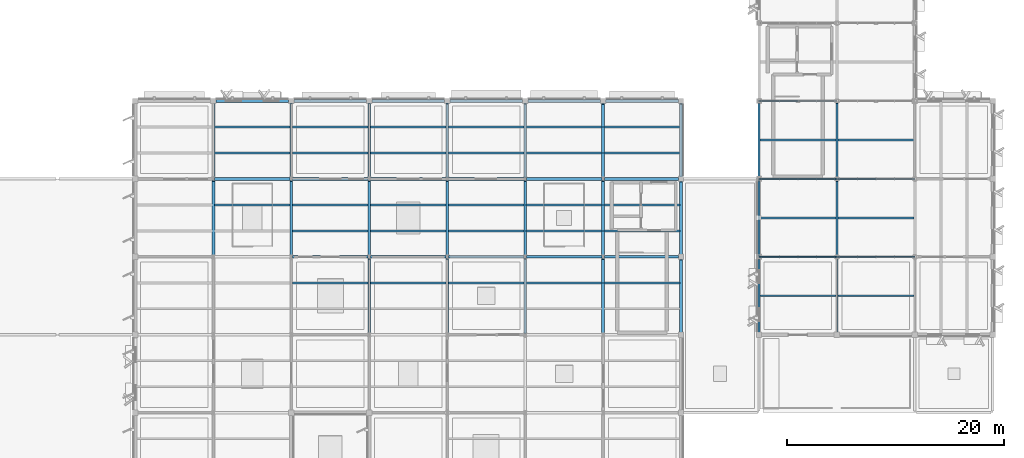
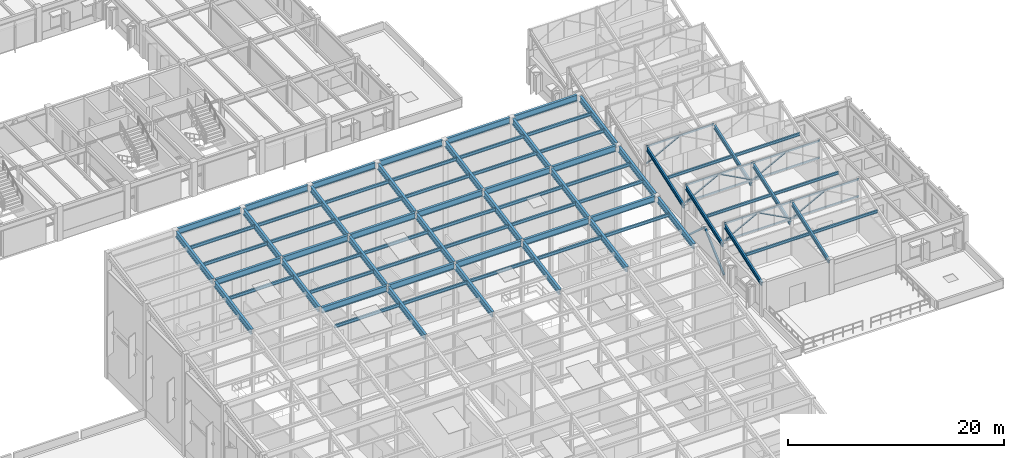
# One storey, part 17 of 82: 76 beams, 18 members.
"""IFC4 building model written with IfcOpenShell, lengths in metres."""

from ifc_helpers import new_model, si_unit, direction, frame, origin, origin_2d, place, context, subcontext, project, spatial, hollow_rectangle, hollow_circle, i_section, extrude, material, material_profile, profile_set, type_object, element, save


model = new_model("IFC4")

# Units and contexts
model_context = context("Model", 3, precision=1e-05, world=origin(), true_north=direction((0.0, 1.0)))
body_context = subcontext(model_context, "Body", "Model", "MODEL_VIEW")
ifc_project = project(units=[si_unit("LENGTHUNIT", "METRE"), si_unit("AREAUNIT", "SQUARE_METRE"), si_unit("VOLUMEUNIT", "CUBIC_METRE"), si_unit("PLANEANGLEUNIT", "RADIAN"), si_unit("MASSUNIT", "GRAM", prefix="KILO")], contexts=[model_context])

# Site, building, storey
site_placement = place(None, origin())
site = spatial("IfcSite", under=ifc_project, at=site_placement, CompositionType="ELEMENT")
building_placement = place(site_placement, origin())
building = spatial("IfcBuilding", under=site, at=building_placement, Name="Sillqori Civic Hall", CompositionType="ELEMENT")
storey_placement = place(building_placement, frame((0.0, 0.0, 14.10009765625)))
storey = spatial("IfcBuildingStorey", under=building, at=storey_placement, Name="L04", CompositionType="ELEMENT", Elevation=14.10009765625)

# Beams
ifc_material_1 = material(Name="Steel ASTM A992", Category="steel")
ifc_material_profile_1 = material_profile(ifc_material_1, i_section(OverallWidth=0.19091796875, OverallDepth=0.4599609375, WebThickness=0.010009765625, FlangeThickness=0.01611328125, FilletRadius=0.012939453125, at=origin_2d()), Name="W18X55")
ifc_profile_set_1 = profile_set([ifc_material_profile_1], Name="Steel ASTM A992")
beam_type_1 = type_object("IfcBeamType", Name="BM-W18X55", PredefinedType="BEAM", material=ifc_profile_set_1)
for number, where, z_axis, x_axis, name in (
    (1, (122.39990234375, 36.14990234375, 3.409912109375), (0.0, 0.944503108263, 0.328502478655), (-1.0, 0.0, 0.0), "Clerestory inclined rafter 17-5"),
    (2, (129.60009765625, 36.14990234375, 3.409912109375), (0.0, 0.944503108263, 0.328502478655), (-1.0, 0.0, 0.0), "Clerestory inclined rafter 18-5"),
):
    element("IfcBeam", number, at=place(storey_placement, frame(where, z_axis=z_axis, x_axis=x_axis)), inside=storey, type_object=beam_type_1, Name=name, PredefinedType="BEAM", context=body_context, shape_type="SweptSolid", body=[
        extrude(i_section(OverallWidth=0.19091796875, OverallDepth=0.4599609375, WebThickness=0.010009765625, FlangeThickness=0.01611328125, FilletRadius=0.012939453125, at=origin_2d()), origin(), (0.0, 0.0, 1.0), 7.3056640625),
    ])
for number, where, z_axis, x_axis, name in (
    (3, (122.39990234375, 43.35009765625, 3.409912109375), (0.0, 0.944499501787, 0.328512847731), (-1.0, 0.0, 0.0), "Clerestory inclined rafter 17-6"),
    (4, (129.60009765625, 43.35009765625, 3.409912109375), (0.0, 0.944499501787, 0.328512847731), (-1.0, 0.0, 0.0), "Clerestory inclined rafter 18-6"),
    (5, (122.39990234375, 50.550048828125, 3.409912109375), (0.0, 0.944499501787, 0.328512847731), (-1.0, 0.0, 0.0), "Clerestory inclined rafter 17-7"),
    (6, (129.60009765625, 50.550048828125, 3.409912109375), (0.0, 0.944499501787, 0.328512847731), (-1.0, 0.0, 0.0), "Clerestory inclined rafter 18-7"),
):
    element("IfcBeam", number, at=place(storey_placement, frame(where, z_axis=z_axis, x_axis=x_axis)), inside=storey, type_object=beam_type_1, Name=name, PredefinedType="BEAM", context=body_context, shape_type="SweptSolid", body=[
        extrude(i_section(OverallWidth=0.19091796875, OverallDepth=0.4599609375, WebThickness=0.010009765625, FlangeThickness=0.01611328125, FilletRadius=0.012939453125, at=origin_2d()), origin(), (0.0, 0.0, 1.0), 7.305419921875),
    ])
ifc_material_profile_2 = material_profile(ifc_material_1, i_section(OverallWidth=0.25390625, OverallDepth=0.68310546875, WebThickness=0.012451171875, FlangeThickness=0.01904296875, FilletRadius=0.01611328125, at=origin_2d()), Name="W27X94")
ifc_profile_set_2 = profile_set([ifc_material_profile_2], Name="Steel ASTM A992")
beam_type_2 = type_object("IfcBeamType", Name="BM-W27X94", PredefinedType="BEAM", material=ifc_profile_set_2)
for number, where, z_axis, x_axis, name in (
    (7, (79.320556640625, 43.199951171875, 11.301513671875), (0.999992142034, 0.0, 0.003964324728), (0.0, 1.0, 0.0), "Wedge roof girder X 11-12@6"),
    (8, (86.5205078125, 43.199951171875, 11.330078125), (0.999992142034, 0.0, 0.003964324728), (0.0, 1.0, 0.0), "Wedge roof girder X 12-13@6"),
    (9, (93.720458984375, 43.199951171875, 11.358642578125), (0.999992142034, 0.0, 0.003964324728), (0.0, 1.0, 0.0), "Wedge roof girder X 13-14@6"),
    (10, (100.92041015625, 43.199951171875, 11.38720703125), (0.999992142034, 0.0, 0.003964324728), (0.0, 1.0, 0.0), "Wedge roof girder X 14-15@6"),
):
    element("IfcBeam", number, at=place(storey_placement, frame(where, z_axis=z_axis, x_axis=x_axis)), inside=storey, type_object=beam_type_2, Name=name, PredefinedType="BEAM", context=body_context, shape_type="SweptSolid", body=[
        extrude(i_section(OverallWidth=0.25390625, OverallDepth=0.68310546875, WebThickness=0.012451171875, FlangeThickness=0.01904296875, FilletRadius=0.01611328125, at=origin_2d()), origin(), (0.0, 0.0, 1.0), 6.958984375),
    ])
beam_1_placement = place(storey_placement, frame((108.12060546875, 43.199951171875, 11.415771484375), z_axis=(0.999992145678, 0.0, 0.003963405276), x_axis=(0.0, 1.0, 0.0)))
element("IfcBeam", 11, at=beam_1_placement, inside=storey, type_object=beam_type_2, Name="Wedge roof girder X 15-16@6", PredefinedType="BEAM", context=body_context, shape_type="SweptSolid", body=[
    extrude(i_section(OverallWidth=0.25390625, OverallDepth=0.68310546875, WebThickness=0.012451171875, FlangeThickness=0.01904296875, FilletRadius=0.01611328125, at=origin_2d()), origin(), (0.0, 0.0, 1.0), 6.83740234375),
])
for number, where, z_axis, x_axis, name in (
    (12, (72.12060546875, 50.39990234375, 12.61572265625), (0.999992142034, 0.0, 0.003964324728), (0.0, 1.0, 0.0), "Wedge roof girder X 10-11@7"),
    (13, (79.320556640625, 50.39990234375, 12.644287109375), (0.999992002341, 0.0, 0.003999406689), (0.0, 1.0, 0.0), "Wedge roof girder X 11-12@7"),
    (14, (86.5205078125, 50.39990234375, 12.6728515625), (0.999992002341, 0.0, 0.003999406689), (0.0, 1.0, 0.0), "Wedge roof girder X 12-13@7"),
    (15, (93.720458984375, 50.39990234375, 12.701416015625), (0.999992142034, 0.0, 0.003964324728), (0.0, 1.0, 0.0), "Wedge roof girder X 13-14@7"),
    (16, (100.92041015625, 50.39990234375, 12.72998046875), (0.999992002341, 0.0, 0.003999406689), (0.0, 1.0, 0.0), "Wedge roof girder X 14-15@7"),
):
    element("IfcBeam", number, at=place(storey_placement, frame(where, z_axis=z_axis, x_axis=x_axis)), inside=storey, type_object=beam_type_2, Name=name, PredefinedType="BEAM", context=body_context, shape_type="SweptSolid", body=[
        extrude(i_section(OverallWidth=0.25390625, OverallDepth=0.68310546875, WebThickness=0.012451171875, FlangeThickness=0.01904296875, FilletRadius=0.01611328125, at=origin_2d()), origin(), (0.0, 0.0, 1.0), 6.958984375),
    ])
beam_2_placement = place(storey_placement, frame((108.12060546875, 50.39990234375, 12.7587890625), z_axis=(0.999992145678, 0.0, 0.003963405276), x_axis=(0.0, 1.0, 0.0)))
element("IfcBeam", 17, at=beam_2_placement, inside=storey, type_object=beam_type_2, Name="Wedge roof girder X 15-16@7", PredefinedType="BEAM", context=body_context, shape_type="SweptSolid", body=[
    extrude(i_section(OverallWidth=0.25390625, OverallDepth=0.68310546875, WebThickness=0.012451171875, FlangeThickness=0.01904296875, FilletRadius=0.01611328125, at=origin_2d()), origin(), (0.0, 0.0, 1.0), 6.83740234375),
])
for number, where, z_axis, x_axis, name in (
    (18, (72.241943359375, 57.60009765625, 13.958984375), (0.99999200533, 0.0, 0.003998659369), (0.0, 1.0, 0.0), "Wedge roof girder X 10-11@8"),
    (19, (79.44189453125, 57.60009765625, 13.98779296875), (0.999992150025, 0.0, 0.003962308494), (0.0, 1.0, 0.0), "Wedge roof girder X 11-12@8"),
):
    element("IfcBeam", number, at=place(storey_placement, frame(where, z_axis=z_axis, x_axis=x_axis)), inside=storey, type_object=beam_type_2, Name=name, PredefinedType="BEAM", context=body_context, shape_type="SweptSolid", body=[
        extrude(i_section(OverallWidth=0.25390625, OverallDepth=0.68310546875, WebThickness=0.012451171875, FlangeThickness=0.01904296875, FilletRadius=0.01611328125, at=origin_2d()), origin(), (0.0, 0.0, 1.0), 6.716064453125),
    ])
beam_3_placement = place(storey_placement, frame((86.64208984375, 57.60009765625, 14.016357421875), z_axis=(0.999992149454, 0.0, 0.003962452533), x_axis=(0.0, 1.0, 0.0)))
element("IfcBeam", 20, at=beam_3_placement, inside=storey, type_object=beam_type_2, Name="Wedge roof girder X 12-13@8", PredefinedType="BEAM", context=body_context, shape_type="SweptSolid", body=[
    extrude(i_section(OverallWidth=0.25390625, OverallDepth=0.68310546875, WebThickness=0.012451171875, FlangeThickness=0.01904296875, FilletRadius=0.01611328125, at=origin_2d()), origin(), (0.0, 0.0, 1.0), 6.7158203125),
])
for number, where, z_axis, x_axis, name in (
    (21, (93.842041015625, 57.60009765625, 14.044921875), (0.999992150025, 0.0, 0.003962308494), (0.0, 1.0, 0.0), "Wedge roof girder X 13-14@8"),
    (22, (101.0419921875, 57.60009765625, 14.073486328125), (0.999992150025, 0.0, 0.003962308494), (0.0, 1.0, 0.0), "Wedge roof girder X 14-15@8"),
    (23, (108.241943359375, 57.60009765625, 14.10205078125), (0.999992150025, 0.0, 0.003962308494), (0.0, 1.0, 0.0), "Wedge roof girder X 15-16@8"),
):
    element("IfcBeam", number, at=place(storey_placement, frame(where, z_axis=z_axis, x_axis=x_axis)), inside=storey, type_object=beam_type_2, Name=name, PredefinedType="BEAM", context=body_context, shape_type="SweptSolid", body=[
        extrude(i_section(OverallWidth=0.25390625, OverallDepth=0.68310546875, WebThickness=0.012451171875, FlangeThickness=0.01904296875, FilletRadius=0.01611328125, at=origin_2d()), origin(), (0.0, 0.0, 1.0), 6.716064453125),
    ])
beam_4_placement = place(storey_placement, frame((72.0, 43.37353515625, 11.3046875), z_axis=(0.0, 0.983043824726, 0.183370768303), x_axis=(-1.0, 0.0, 0.0)))
element("IfcBeam", 24, at=beam_4_placement, inside=storey, type_object=beam_type_2, Name="Wedge roof inclined rafter Y 10@6-7", PredefinedType="BEAM", context=body_context, shape_type="SweptSolid", body=[
    extrude(i_section(OverallWidth=0.25390625, OverallDepth=0.68310546875, WebThickness=0.012451171875, FlangeThickness=0.01904296875, FilletRadius=0.01611328125, at=origin_2d()), origin(), (0.0, 0.0, 1.0), 6.97119140625),
])
beam_5_placement = place(storey_placement, frame((72.0, 50.573486328125, 12.647705078125), z_axis=(0.0, 0.983047548844, 0.18335080232), x_axis=(-1.0, 0.0, 0.0)))
element("IfcBeam", 25, at=beam_5_placement, inside=storey, type_object=beam_type_2, Name="Wedge roof inclined rafter Y 10@7-8", PredefinedType="BEAM", context=body_context, shape_type="SweptSolid", body=[
    extrude(i_section(OverallWidth=0.25390625, OverallDepth=0.68310546875, WebThickness=0.012451171875, FlangeThickness=0.01904296875, FilletRadius=0.01611328125, at=origin_2d()), origin(), (0.0, 0.0, 1.0), 6.9013671875),
])
beam_6_placement = place(storey_placement, frame((79.199951171875, 43.37353515625, 11.33349609375), z_axis=(0.0, 0.98305013715, 0.183336924403), x_axis=(-1.0, 0.0, 0.0)))
element("IfcBeam", 26, at=beam_6_placement, inside=storey, type_object=beam_type_2, Name="Wedge roof inclined rafter Y 11@6-7", PredefinedType="BEAM", context=body_context, shape_type="SweptSolid", body=[
    extrude(i_section(OverallWidth=0.25390625, OverallDepth=0.68310546875, WebThickness=0.012451171875, FlangeThickness=0.01904296875, FilletRadius=0.01611328125, at=origin_2d()), origin(), (0.0, 0.0, 1.0), 6.97119140625),
])
beam_7_placement = place(storey_placement, frame((79.199951171875, 50.573486328125, 12.67626953125), z_axis=(0.0, 0.983047548844, 0.18335080232), x_axis=(-1.0, 0.0, 0.0)))
element("IfcBeam", 27, at=beam_7_placement, inside=storey, type_object=beam_type_2, Name="Wedge roof inclined rafter Y 11@7-8", PredefinedType="BEAM", context=body_context, shape_type="SweptSolid", body=[
    extrude(i_section(OverallWidth=0.25390625, OverallDepth=0.68310546875, WebThickness=0.012451171875, FlangeThickness=0.01904296875, FilletRadius=0.01611328125, at=origin_2d()), origin(), (0.0, 0.0, 1.0), 6.9013671875),
])
for number, where, z_axis, x_axis, name in (
    (28, (86.39990234375, 36.173583984375, 10.01904296875), (0.0, 0.98305013715, 0.183336924403), (-1.0, 0.0, 0.0), "Wedge roof inclined rafter Y 12@5-6"),
    (29, (86.39990234375, 43.37353515625, 11.362060546875), (0.0, 0.98305013715, 0.183336924403), (-1.0, 0.0, 0.0), "Wedge roof inclined rafter Y 12@6-7"),
):
    element("IfcBeam", number, at=place(storey_placement, frame(where, z_axis=z_axis, x_axis=x_axis)), inside=storey, type_object=beam_type_2, Name=name, PredefinedType="BEAM", context=body_context, shape_type="SweptSolid", body=[
        extrude(i_section(OverallWidth=0.25390625, OverallDepth=0.68310546875, WebThickness=0.012451171875, FlangeThickness=0.01904296875, FilletRadius=0.01611328125, at=origin_2d()), origin(), (0.0, 0.0, 1.0), 6.97119140625),
    ])
beam_8_placement = place(storey_placement, frame((86.39990234375, 50.573486328125, 12.704833984375), z_axis=(0.0, 0.983047548844, 0.18335080232), x_axis=(-1.0, 0.0, 0.0)))
element("IfcBeam", 30, at=beam_8_placement, inside=storey, type_object=beam_type_2, Name="Wedge roof inclined rafter Y 12@7-8", PredefinedType="BEAM", context=body_context, shape_type="SweptSolid", body=[
    extrude(i_section(OverallWidth=0.25390625, OverallDepth=0.68310546875, WebThickness=0.012451171875, FlangeThickness=0.01904296875, FilletRadius=0.01611328125, at=origin_2d()), origin(), (0.0, 0.0, 1.0), 6.9013671875),
])
for number, where, z_axis, x_axis, name in (
    (31, (93.60009765625, 36.173583984375, 10.047607421875), (0.0, 0.98305013715, 0.183336924403), (-1.0, 0.0, 0.0), "Wedge roof inclined rafter Y 13@5-6"),
    (32, (93.60009765625, 43.37353515625, 11.390380859375), (0.0, 0.983043824726, 0.183370768303), (-1.0, 0.0, 0.0), "Wedge roof inclined rafter Y 13@6-7"),
):
    element("IfcBeam", number, at=place(storey_placement, frame(where, z_axis=z_axis, x_axis=x_axis)), inside=storey, type_object=beam_type_2, Name=name, PredefinedType="BEAM", context=body_context, shape_type="SweptSolid", body=[
        extrude(i_section(OverallWidth=0.25390625, OverallDepth=0.68310546875, WebThickness=0.012451171875, FlangeThickness=0.01904296875, FilletRadius=0.01611328125, at=origin_2d()), origin(), (0.0, 0.0, 1.0), 6.97119140625),
    ])
beam_9_placement = place(storey_placement, frame((93.60009765625, 50.573486328125, 12.7333984375), z_axis=(0.0, 0.983047548844, 0.18335080232), x_axis=(-1.0, 0.0, 0.0)))
element("IfcBeam", 33, at=beam_9_placement, inside=storey, type_object=beam_type_2, Name="Wedge roof inclined rafter Y 13@7-8", PredefinedType="BEAM", context=body_context, shape_type="SweptSolid", body=[
    extrude(i_section(OverallWidth=0.25390625, OverallDepth=0.68310546875, WebThickness=0.012451171875, FlangeThickness=0.01904296875, FilletRadius=0.01611328125, at=origin_2d()), origin(), (0.0, 0.0, 1.0), 6.9013671875),
])
for number, where, z_axis, x_axis, name in (
    (34, (100.800048828125, 36.173583984375, 10.076171875), (0.0, 0.983043824726, 0.183370768303), (-1.0, 0.0, 0.0), "Wedge roof inclined rafter Y 14@5-6"),
    (35, (100.800048828125, 43.37353515625, 11.419189453125), (0.0, 0.98305013715, 0.183336924403), (-1.0, 0.0, 0.0), "Wedge roof inclined rafter Y 14@6-7"),
):
    element("IfcBeam", number, at=place(storey_placement, frame(where, z_axis=z_axis, x_axis=x_axis)), inside=storey, type_object=beam_type_2, Name=name, PredefinedType="BEAM", context=body_context, shape_type="SweptSolid", body=[
        extrude(i_section(OverallWidth=0.25390625, OverallDepth=0.68310546875, WebThickness=0.012451171875, FlangeThickness=0.01904296875, FilletRadius=0.01611328125, at=origin_2d()), origin(), (0.0, 0.0, 1.0), 6.97119140625),
    ])
beam_10_placement = place(storey_placement, frame((100.800048828125, 50.573486328125, 12.761962890625), z_axis=(0.0, 0.983047548844, 0.18335080232), x_axis=(-1.0, 0.0, 0.0)))
element("IfcBeam", 36, at=beam_10_placement, inside=storey, type_object=beam_type_2, Name="Wedge roof inclined rafter Y 14@7-8", PredefinedType="BEAM", context=body_context, shape_type="SweptSolid", body=[
    extrude(i_section(OverallWidth=0.25390625, OverallDepth=0.68310546875, WebThickness=0.012451171875, FlangeThickness=0.01904296875, FilletRadius=0.01611328125, at=origin_2d()), origin(), (0.0, 0.0, 1.0), 6.9013671875),
])
for number, where, z_axis, x_axis, name in (
    (37, (108.0, 36.173583984375, 10.104736328125), (0.0, 0.983043824726, 0.183370768303), (-1.0, 0.0, 0.0), "Wedge roof inclined rafter Y 15@5-6"),
    (38, (108.0, 43.37353515625, 11.44775390625), (0.0, 0.98305013715, 0.183336924403), (-1.0, 0.0, 0.0), "Wedge roof inclined rafter Y 15@6-7"),
):
    element("IfcBeam", number, at=place(storey_placement, frame(where, z_axis=z_axis, x_axis=x_axis)), inside=storey, type_object=beam_type_2, Name=name, PredefinedType="BEAM", context=body_context, shape_type="SweptSolid", body=[
        extrude(i_section(OverallWidth=0.25390625, OverallDepth=0.68310546875, WebThickness=0.012451171875, FlangeThickness=0.01904296875, FilletRadius=0.01611328125, at=origin_2d()), origin(), (0.0, 0.0, 1.0), 6.97119140625),
    ])
beam_11_placement = place(storey_placement, frame((108.0, 50.573486328125, 12.79052734375), z_axis=(0.0, 0.983047548844, 0.18335080232), x_axis=(-1.0, 0.0, 0.0)))
element("IfcBeam", 39, at=beam_11_placement, inside=storey, type_object=beam_type_2, Name="Wedge roof inclined rafter Y 15@7-8", PredefinedType="BEAM", context=body_context, shape_type="SweptSolid", body=[
    extrude(i_section(OverallWidth=0.25390625, OverallDepth=0.68310546875, WebThickness=0.012451171875, FlangeThickness=0.01904296875, FilletRadius=0.01611328125, at=origin_2d()), origin(), (0.0, 0.0, 1.0), 6.9013671875),
])
for number, where, z_axis, x_axis, name in (
    (40, (115.199951171875, 36.241943359375, 10.146240234375), (0.0, 0.983052549715, 0.183323987787), (-1.0, 0.0, 0.0), "Wedge roof inclined rafter Y 16@5-6"),
    (41, (115.199951171875, 43.44189453125, 11.489013671875), (0.0, 0.983046108972, 0.183358522125), (-1.0, 0.0, 0.0), "Wedge roof inclined rafter Y 16@6-7"),
):
    element("IfcBeam", number, at=place(storey_placement, frame(where, z_axis=z_axis, x_axis=x_axis)), inside=storey, type_object=beam_type_2, Name=name, PredefinedType="BEAM", context=body_context, shape_type="SweptSolid", body=[
        extrude(i_section(OverallWidth=0.25390625, OverallDepth=0.68310546875, WebThickness=0.012451171875, FlangeThickness=0.01904296875, FilletRadius=0.01611328125, at=origin_2d()), origin(), (0.0, 0.0, 1.0), 6.831787109375),
    ])
beam_12_placement = place(storey_placement, frame((115.199951171875, 50.64208984375, 12.831787109375), z_axis=(0.0, 0.98304490747, 0.183364963655), x_axis=(-1.0, 0.0, 0.0)))
element("IfcBeam", 42, at=beam_12_placement, inside=storey, type_object=beam_type_2, Name="Wedge roof inclined rafter Y 16@7-8", PredefinedType="BEAM", context=body_context, shape_type="SweptSolid", body=[
    extrude(i_section(OverallWidth=0.25390625, OverallDepth=0.68310546875, WebThickness=0.012451171875, FlangeThickness=0.01904296875, FilletRadius=0.01611328125, at=origin_2d()), origin(), (0.0, 0.0, 1.0), 6.83154296875),
])

# Members
ifc_material_2 = material(Name="Steel ASTM A500 Grade C", Category="steel")
ifc_material_profile_3 = material_profile(ifc_material_2, hollow_rectangle(XDim=0.199951171875, YDim=0.199951171875, WallThickness=0.010009765625, InnerFilletRadius=0.010009765625, OuterFilletRadius=0.02001953125, at=origin_2d()), Name="HSS200X200X10")
ifc_profile_set_3 = profile_set([ifc_material_profile_3], Name="Steel ASTM A500 Grade C")
member_type_1 = type_object("IfcMemberType", Name="BR-HSS200", PredefinedType="BRACE", material=ifc_profile_set_3)
member_1_placement = place(storey_placement, frame((122.39990234375, 43.199951171875, 0.14990234375), z_axis=(0.0, 0.742277082557, 0.670093077648), x_axis=(-1.0, 0.0, 0.0)))
element("IfcMember", 43, at=member_1_placement, inside=storey, type_object=member_type_1, Name="L04 seismic chevron brace L Y17-6", PredefinedType="BRACE", context=body_context, shape_type="SweptSolid", body=[
    extrude(hollow_rectangle(XDim=0.199951171875, YDim=0.199951171875, WallThickness=0.010009765625, InnerFilletRadius=0.010009765625, OuterFilletRadius=0.02001953125, at=origin_2d()), origin(), (0.0, 0.0, 1.0), 4.85009765625),
])
member_2_placement = place(storey_placement, frame((122.39990234375, 50.39990234375, 0.14990234375), z_axis=(0.0, -0.742254478498, 0.67011811582), x_axis=(1.0, 0.0, 0.0)))
element("IfcMember", 44, at=member_2_placement, inside=storey, type_object=member_type_1, Name="L04 seismic chevron brace R Y17-6", PredefinedType="BRACE", context=body_context, shape_type="SweptSolid", body=[
    extrude(hollow_rectangle(XDim=0.199951171875, YDim=0.199951171875, WallThickness=0.010009765625, InnerFilletRadius=0.010009765625, OuterFilletRadius=0.02001953125, at=origin_2d()), origin(), (0.0, 0.0, 1.0), 4.849853515625),
])
ifc_material_profile_4 = material_profile(ifc_material_2, hollow_rectangle(XDim=0.1201171875, YDim=0.199951171875, WallThickness=0.010009765625, InnerFilletRadius=0.010009765625, OuterFilletRadius=0.02001953125, at=origin_2d()), Name="HSS200X120X10")
ifc_profile_set_4 = profile_set([ifc_material_profile_4], Name="Steel ASTM A500 Grade C")
member_type_2 = type_object("IfcMemberType", Name="CH-HSS200", PredefinedType="CHORD", material=ifc_profile_set_4)
for number, where, z_axis, x_axis, name in (
    (45, (122.39990234375, 43.199951171875, 5.969970703125), (1.0, 0.0, 0.0), (0.0, 1.0, 0.0), "Clerestory truss top chord 17-5"),
    (46, (122.39990234375, 43.199951171875, 4.0498046875), (1.0, 0.0, 0.0), (0.0, 1.0, 0.0), "Clerestory truss bottom chord 17-5"),
):
    element("IfcMember", number, at=place(storey_placement, frame(where, z_axis=z_axis, x_axis=x_axis)), inside=storey, type_object=member_type_2, Name=name, PredefinedType="CHORD", context=body_context, shape_type="SweptSolid", body=[
        extrude(hollow_rectangle(XDim=0.1201171875, YDim=0.199951171875, WallThickness=0.010009765625, InnerFilletRadius=0.010009765625, OuterFilletRadius=0.02001953125, at=origin_2d()), origin(), (0.0, 0.0, 1.0), 7.2001953125),
    ])
for number, where, z_axis, x_axis, name in (
    (47, (129.60009765625, 43.199951171875, 5.969970703125), (1.0, 0.0, 0.0), (0.0, 1.0, 0.0), "Clerestory truss top chord 18-5"),
    (48, (129.60009765625, 43.199951171875, 4.0498046875), (1.0, 0.0, 0.0), (0.0, 1.0, 0.0), "Clerestory truss bottom chord 18-5"),
):
    element("IfcMember", number, at=place(storey_placement, frame(where, z_axis=z_axis, x_axis=x_axis)), inside=storey, type_object=member_type_2, Name=name, PredefinedType="CHORD", context=body_context, shape_type="SweptSolid", body=[
        extrude(hollow_rectangle(XDim=0.1201171875, YDim=0.199951171875, WallThickness=0.010009765625, InnerFilletRadius=0.010009765625, OuterFilletRadius=0.02001953125, at=origin_2d()), origin(), (0.0, 0.0, 1.0), 7.199951171875),
    ])
for number, where, z_axis, x_axis, name in (
    (49, (122.39990234375, 50.39990234375, 5.969970703125), (1.0, 0.0, 0.0), (0.0, 1.0, 0.0), "Clerestory truss top chord 17-6"),
    (50, (122.39990234375, 50.39990234375, 4.0498046875), (1.0, 0.0, 0.0), (0.0, 1.0, 0.0), "Clerestory truss bottom chord 17-6"),
):
    element("IfcMember", number, at=place(storey_placement, frame(where, z_axis=z_axis, x_axis=x_axis)), inside=storey, type_object=member_type_2, Name=name, PredefinedType="CHORD", context=body_context, shape_type="SweptSolid", body=[
        extrude(hollow_rectangle(XDim=0.1201171875, YDim=0.199951171875, WallThickness=0.010009765625, InnerFilletRadius=0.010009765625, OuterFilletRadius=0.02001953125, at=origin_2d()), origin(), (0.0, 0.0, 1.0), 7.2001953125),
    ])
for number, where, z_axis, x_axis, name in (
    (51, (129.60009765625, 50.39990234375, 5.969970703125), (1.0, 0.0, 0.0), (0.0, 1.0, 0.0), "Clerestory truss top chord 18-6"),
    (52, (129.60009765625, 50.39990234375, 4.0498046875), (1.0, 0.0, 0.0), (0.0, 1.0, 0.0), "Clerestory truss bottom chord 18-6"),
):
    element("IfcMember", number, at=place(storey_placement, frame(where, z_axis=z_axis, x_axis=x_axis)), inside=storey, type_object=member_type_2, Name=name, PredefinedType="CHORD", context=body_context, shape_type="SweptSolid", body=[
        extrude(hollow_rectangle(XDim=0.1201171875, YDim=0.199951171875, WallThickness=0.010009765625, InnerFilletRadius=0.010009765625, OuterFilletRadius=0.02001953125, at=origin_2d()), origin(), (0.0, 0.0, 1.0), 7.199951171875),
    ])
member_3_placement = place(storey_placement, frame((122.39990234375, 57.60009765625, 5.969970703125), z_axis=(1.0, 0.0, 0.0), x_axis=(0.0, 1.0, 0.0)))
element("IfcMember", 53, at=member_3_placement, inside=storey, type_object=member_type_2, Name="Clerestory truss top chord 17-7", PredefinedType="CHORD", context=body_context, shape_type="SweptSolid", body=[
    extrude(hollow_rectangle(XDim=0.1201171875, YDim=0.199951171875, WallThickness=0.010009765625, InnerFilletRadius=0.010009765625, OuterFilletRadius=0.02001953125, at=origin_2d()), origin(), (0.0, 0.0, 1.0), 7.2001953125),
])

# Beams
ifc_material_profile_5 = material_profile(ifc_material_1, i_section(OverallWidth=0.1650390625, OverallDepth=0.31005859375, WebThickness=0.005859375, FlangeThickness=0.009765625, FilletRadius=0.010009765625, at=origin_2d()), Name="W12X26")
ifc_profile_set_5 = profile_set([ifc_material_profile_5], Name="Steel ASTM A992")
beam_type_3 = type_object("IfcBeamType", Name="PR-W12X26", PredefinedType="JOIST", material=ifc_profile_set_5)
for number, where, z_axis, x_axis, name in (
    (54, (122.47998046875, 39.60009765625, 4.559814453125), (1.0, 0.0, 0.0), (0.0, 1.0, 0.0), "Clerestory roof purlin 17-5"),
    (55, (129.679931640625, 39.60009765625, 4.559814453125), (1.0, 0.0, 0.0), (0.0, 1.0, 0.0), "Clerestory roof purlin 18-5"),
    (56, (122.47998046875, 46.800048828125, 4.559814453125), (1.0, 0.0, 0.0), (0.0, 1.0, 0.0), "Clerestory roof purlin 17-6"),
    (57, (129.679931640625, 46.800048828125, 4.559814453125), (1.0, 0.0, 0.0), (0.0, 1.0, 0.0), "Clerestory roof purlin 18-6"),
    (58, (122.47998046875, 54.0, 4.559814453125), (1.0, 0.0, 0.0), (0.0, 1.0, 0.0), "Clerestory roof purlin 17-7"),
    (59, (129.679931640625, 54.0, 4.559814453125), (1.0, 0.0, 0.0), (0.0, 1.0, 0.0), "Clerestory roof purlin 18-7"),
):
    element("IfcBeam", number, at=place(storey_placement, frame(where, z_axis=z_axis, x_axis=x_axis)), inside=storey, type_object=beam_type_3, Name=name, PredefinedType="JOIST", context=body_context, shape_type="SweptSolid", body=[
        extrude(i_section(OverallWidth=0.1650390625, OverallDepth=0.31005859375, WebThickness=0.005859375, FlangeThickness=0.009765625, FilletRadius=0.010009765625, at=origin_2d()), origin(), (0.0, 0.0, 1.0), 7.0400390625),
    ])
ifc_material_profile_6 = material_profile(ifc_material_1, i_section(OverallWidth=0.1708984375, OverallDepth=0.35107421875, WebThickness=0.0068359375, FlangeThickness=0.009765625, FilletRadius=0.010986328125, at=origin_2d()), Name="W14X30")
ifc_profile_set_6 = profile_set([ifc_material_profile_6], Name="Steel ASTM A992")
beam_type_4 = type_object("IfcBeamType", Name="PR-W14X30", PredefinedType="JOIST", material=ifc_profile_set_6)
for number, where, z_axis, x_axis, name in (
    (60, (79.300048828125, 40.800048828125, 10.884765625), (1.0, 0.0, 0.0), (0.0, 1.0, 0.0), "Wedge roof purlin 11-5.2"),
    (61, (86.5, 40.800048828125, 10.913330078125), (1.0, 0.0, 0.0), (0.0, 1.0, 0.0), "Wedge roof purlin 12-5.2"),
    (62, (93.699951171875, 40.800048828125, 10.94189453125), (1.0, 0.0, 0.0), (0.0, 1.0, 0.0), "Wedge roof purlin 13-5.2"),
    (63, (100.89990234375, 40.800048828125, 10.970458984375), (1.0, 0.0, 0.0), (0.0, 1.0, 0.0), "Wedge roof purlin 14-5.2"),
    (64, (108.10009765625, 40.800048828125, 10.9990234375), (1.0, 0.0, 0.0), (0.0, 1.0, 0.0), "Wedge roof purlin 15-5.2"),
    (65, (79.300048828125, 45.60009765625, 11.780029296875), (1.0, 0.0, 0.0), (0.0, 1.0, 0.0), "Wedge roof purlin 11-6.1"),
    (66, (86.5, 45.60009765625, 11.80859375), (1.0, 0.0, 0.0), (0.0, 1.0, 0.0), "Wedge roof purlin 12-6.1"),
    (67, (93.699951171875, 45.60009765625, 11.837158203125), (1.0, 0.0, 0.0), (0.0, 1.0, 0.0), "Wedge roof purlin 13-6.1"),
    (68, (100.89990234375, 45.60009765625, 11.86572265625), (1.0, 0.0, 0.0), (0.0, 1.0, 0.0), "Wedge roof purlin 14-6.1"),
    (69, (108.10009765625, 45.60009765625, 11.894287109375), (1.0, 0.0, 0.0), (0.0, 1.0, 0.0), "Wedge roof purlin 15-6.1"),
    (70, (72.10009765625, 48.0, 12.19921875), (1.0, 0.0, 0.0), (0.0, 1.0, 0.0), "Wedge roof purlin 10-6.2"),
    (71, (79.300048828125, 48.0, 12.227783203125), (1.0, 0.0, 0.0), (0.0, 1.0, 0.0), "Wedge roof purlin 11-6.2"),
    (72, (86.5, 48.0, 12.256103515625), (1.0, 0.0, 0.0), (0.0, 1.0, 0.0), "Wedge roof purlin 12-6.2"),
    (73, (93.699951171875, 48.0, 12.284912109375), (1.0, 0.0, 0.0), (0.0, 1.0, 0.0), "Wedge roof purlin 13-6.2"),
    (74, (100.89990234375, 48.0, 12.3134765625), (1.0, 0.0, 0.0), (0.0, 1.0, 0.0), "Wedge roof purlin 14-6.2"),
    (75, (108.10009765625, 48.0, 12.342041015625), (1.0, 0.0, 0.0), (0.0, 1.0, 0.0), "Wedge roof purlin 15-6.2"),
    (76, (72.10009765625, 52.800048828125, 13.09423828125), (1.0, 0.0, 0.0), (0.0, 1.0, 0.0), "Wedge roof purlin 10-7.1"),
    (77, (79.300048828125, 52.800048828125, 13.122802734375), (1.0, 0.0, 0.0), (0.0, 1.0, 0.0), "Wedge roof purlin 11-7.1"),
    (78, (86.5, 52.800048828125, 13.151611328125), (1.0, 0.0, 0.0), (0.0, 1.0, 0.0), "Wedge roof purlin 12-7.1"),
    (79, (93.699951171875, 52.800048828125, 13.179931640625), (1.0, 0.0, 0.0), (0.0, 1.0, 0.0), "Wedge roof purlin 13-7.1"),
    (80, (100.89990234375, 52.800048828125, 13.20849609375), (1.0, 0.0, 0.0), (0.0, 1.0, 0.0), "Wedge roof purlin 14-7.1"),
    (81, (108.10009765625, 52.800048828125, 13.2373046875), (1.0, 0.0, 0.0), (0.0, 1.0, 0.0), "Wedge roof purlin 15-7.1"),
    (82, (72.10009765625, 55.199951171875, 13.5419921875), (1.0, 0.0, 0.0), (0.0, 1.0, 0.0), "Wedge roof purlin 10-7.2"),
    (83, (79.300048828125, 55.199951171875, 13.570556640625), (1.0, 0.0, 0.0), (0.0, 1.0, 0.0), "Wedge roof purlin 11-7.2"),
    (84, (86.5, 55.199951171875, 13.59912109375), (1.0, 0.0, 0.0), (0.0, 1.0, 0.0), "Wedge roof purlin 12-7.2"),
    (85, (93.699951171875, 55.199951171875, 13.627685546875), (1.0, 0.0, 0.0), (0.0, 1.0, 0.0), "Wedge roof purlin 13-7.2"),
    (86, (100.89990234375, 55.199951171875, 13.65625), (1.0, 0.0, 0.0), (0.0, 1.0, 0.0), "Wedge roof purlin 14-7.2"),
    (87, (108.10009765625, 55.199951171875, 13.684814453125), (1.0, 0.0, 0.0), (0.0, 1.0, 0.0), "Wedge roof purlin 15-7.2"),
):
    element("IfcBeam", number, at=place(storey_placement, frame(where, z_axis=z_axis, x_axis=x_axis)), inside=storey, type_object=beam_type_4, Name=name, PredefinedType="JOIST", context=body_context, shape_type="SweptSolid", body=[
        extrude(i_section(OverallWidth=0.1708984375, OverallDepth=0.35107421875, WebThickness=0.0068359375, FlangeThickness=0.009765625, FilletRadius=0.010986328125, at=origin_2d()), origin(), (0.0, 0.0, 1.0), 7.0),
    ])

# Members
ifc_material_profile_7 = material_profile(ifc_material_2, hollow_circle(Radius=0.084228515625, WallThickness=0.010009765625, at=origin_2d()), Name="CHS168X10")
ifc_profile_set_7 = profile_set([ifc_material_profile_7], Name="Steel ASTM A500 Grade C")
member_type_3 = type_object("IfcMemberType", Name="ST-CHS168", PredefinedType="STRUT", material=ifc_profile_set_7)
for number, where, z_axis, x_axis, name in (
    (88, (122.39990234375, 43.199951171875, 4.0498046875), (0.882341346394, 0.0, 0.470609974867), (0.0, 1.0, 0.0), "Clerestory truss diagonal strut L 17-5"),
    (89, (129.60009765625, 43.199951171875, 4.0498046875), (-0.882341346394, 0.0, 0.470609974867), (0.0, -1.0, 0.0), "Clerestory truss diagonal strut R 17-5"),
):
    element("IfcMember", number, at=place(storey_placement, frame(where, z_axis=z_axis, x_axis=x_axis)), inside=storey, type_object=member_type_3, Name=name, PredefinedType="STRUT", context=body_context, shape_type="SweptSolid", body=[
        extrude(hollow_circle(Radius=0.084228515625, WallThickness=0.010009765625, at=origin_2d()), origin(), (0.0, 0.0, 1.0), 4.080078125),
    ])
member_4_placement = place(storey_placement, frame((129.60009765625, 43.199951171875, 4.0498046875), z_axis=(0.882328093246, 0.0, 0.470634822203), x_axis=(0.0, 1.0, 0.0)))
element("IfcMember", 90, at=member_4_placement, inside=storey, type_object=member_type_3, Name="Clerestory truss diagonal strut L 18-5", PredefinedType="STRUT", context=body_context, shape_type="SweptSolid", body=[
    extrude(hollow_circle(Radius=0.084228515625, WallThickness=0.010009765625, at=origin_2d()), origin(), (0.0, 0.0, 1.0), 4.079833984375),
])
for number, where, z_axis, x_axis, name in (
    (91, (122.39990234375, 50.39990234375, 4.0498046875), (0.882341346394, 0.0, 0.470609974867), (0.0, 1.0, 0.0), "Clerestory truss diagonal strut L 17-6"),
    (92, (129.60009765625, 50.39990234375, 4.0498046875), (-0.882341346394, 0.0, 0.470609974867), (0.0, -1.0, 0.0), "Clerestory truss diagonal strut R 17-6"),
):
    element("IfcMember", number, at=place(storey_placement, frame(where, z_axis=z_axis, x_axis=x_axis)), inside=storey, type_object=member_type_3, Name=name, PredefinedType="STRUT", context=body_context, shape_type="SweptSolid", body=[
        extrude(hollow_circle(Radius=0.084228515625, WallThickness=0.010009765625, at=origin_2d()), origin(), (0.0, 0.0, 1.0), 4.080078125),
    ])
member_5_placement = place(storey_placement, frame((129.60009765625, 50.39990234375, 4.0498046875), z_axis=(0.882328093246, 0.0, 0.470634822203), x_axis=(0.0, 1.0, 0.0)))
element("IfcMember", 93, at=member_5_placement, inside=storey, type_object=member_type_3, Name="Clerestory truss diagonal strut L 18-6", PredefinedType="STRUT", context=body_context, shape_type="SweptSolid", body=[
    extrude(hollow_circle(Radius=0.084228515625, WallThickness=0.010009765625, at=origin_2d()), origin(), (0.0, 0.0, 1.0), 4.079833984375),
])
member_6_placement = place(storey_placement, frame((122.39990234375, 57.60009765625, 4.0498046875), z_axis=(0.882341346394, 0.0, 0.470609974867), x_axis=(0.0, 1.0, 0.0)))
element("IfcMember", 94, at=member_6_placement, inside=storey, type_object=member_type_3, Name="Clerestory truss diagonal strut L 17-7", PredefinedType="STRUT", context=body_context, shape_type="SweptSolid", body=[
    extrude(hollow_circle(Radius=0.084228515625, WallThickness=0.010009765625, at=origin_2d()), origin(), (0.0, 0.0, 1.0), 4.080078125),
])

save(model, "model.ifc")
